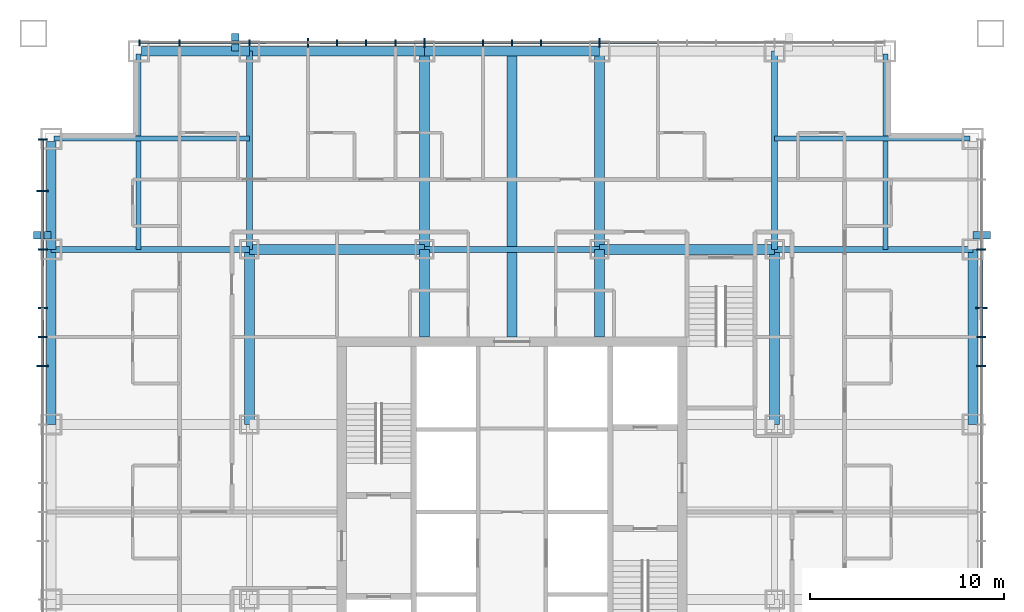
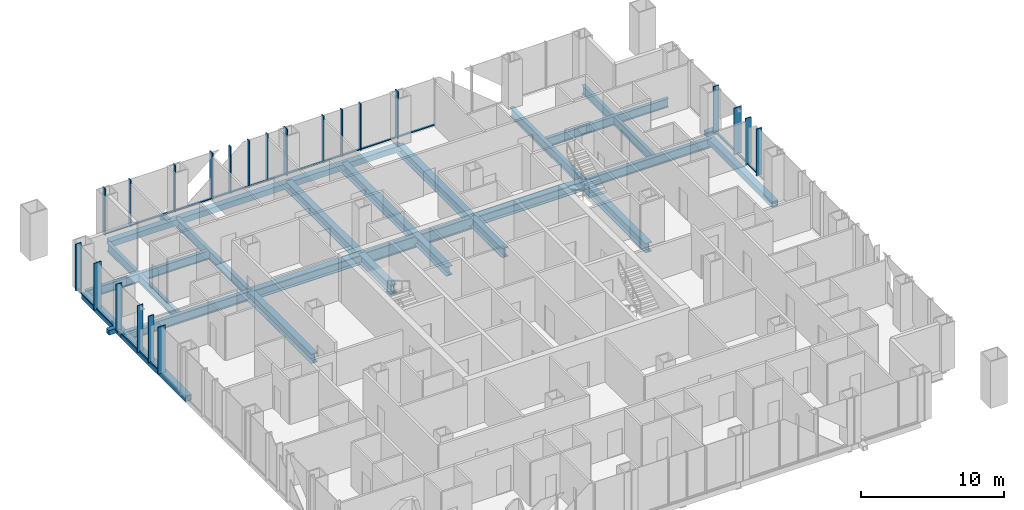
# One storey, part 5 of 16: 45 members, 24 beams, 3 elements without a shape of their own.
"""IFC4 building model written with IfcOpenShell, lengths in metres."""

from ifc_helpers import new_model, si_unit, direction, frame, origin, origin_2d, place, context, subcontext, project, spatial, rectangle, hollow_rectangle, i_section, extrude, material, layer, layer_set, material_profile, profile_set, type_object, element, aggregate, save


model = new_model("IFC4")

# Units and contexts
model_context = context("Model", 3, precision=1e-05, world=origin(), true_north=direction((0.0, 1.0)))
body_context = subcontext(model_context, "Body", "Model", "MODEL_VIEW")
ifc_project = project(units=[si_unit("LENGTHUNIT", "METRE"), si_unit("AREAUNIT", "SQUARE_METRE"), si_unit("VOLUMEUNIT", "CUBIC_METRE"), si_unit("PLANEANGLEUNIT", "RADIAN"), si_unit("MASSUNIT", "GRAM", prefix="KILO")], contexts=[model_context])

# Site, building, storey
site_placement = place(None, origin())
site = spatial("IfcSite", under=ifc_project, at=site_placement, CompositionType="ELEMENT")
building_placement = place(site_placement, origin())
building = spatial("IfcBuilding", under=site, at=building_placement, Name="Malebo Sky Hospital", CompositionType="ELEMENT")
storey_placement = place(building_placement, frame((0.0, 0.0, 108.0)))
storey = spatial("IfcBuildingStorey", under=building, at=storey_placement, Name="L25", CompositionType="ELEMENT", Elevation=108.0)

# Curtain wall, members
ifc_material_1 = material(Name="Anodised aluminium, natural silver", Category="aluminium")
ifc_layer_1 = layer(ifc_material_1, 0.25)
ifc_layer_set_1 = layer_set([ifc_layer_1], Name="WARD CURTAIN WALL NORTH AND SOUTH")
curtain_wall_type_1 = type_object("IfcCurtainWallType", Name="WARD CURTAIN WALL NORTH AND SOUTH", PredefinedType="NOTDEFINED", material=ifc_layer_set_1)
curtain_wall_1_placement = place(storey_placement, origin())
curtain_wall_1 = element("IfcCurtainWall", 1, at=curtain_wall_1_placement, inside=storey, type_object=curtain_wall_type_1, Name="NS curtain wall N", PredefinedType="NOTDEFINED")
ifc_material_profile_1 = material_profile(ifc_material_1, rectangle(XDim=0.14990234375, YDim=0.10009765625, at=origin_2d()), Name="ALUMINIUM TRANSOM 150x100")
ifc_profile_set_1 = profile_set([ifc_material_profile_1], Name="Anodised aluminium, natural silver")
member_type_1 = type_object("IfcMemberType", Name="ALUMINIUM TRANSOM 150x100", PredefinedType="USERDEFINED", material=ifc_profile_set_1)
member_1_placement = place(storey_placement, frame((40.875, 86.135009765625, 0.050048828125), z_axis=(1.0, 0.0, 0.0), x_axis=(0.0, 1.0, 0.0)))
member_1 = element("IfcMember", 2, at=member_1_placement, type_object=member_type_1, Name="Transom 1", ObjectType="TRANSOM", PredefinedType="USERDEFINED", context=body_context, shape_type="SweptSolid", body=[
    extrude(rectangle(XDim=0.14990234375, YDim=0.10009765625, at=origin_2d()), origin(), (0.0, 0.0, 1.0), 1.987548828125),
])
member_2_placement = place(storey_placement, frame((42.9375, 86.135009765625, 0.050048828125), z_axis=(1.0, 0.0, 0.0), x_axis=(0.0, 1.0, 0.0)))
member_2 = element("IfcMember", 3, at=member_2_placement, type_object=member_type_1, Name="Transom 2", ObjectType="TRANSOM", PredefinedType="USERDEFINED", context=body_context, shape_type="SweptSolid", body=[
    extrude(rectangle(XDim=0.14990234375, YDim=0.10009765625, at=origin_2d()), origin(), (0.0, 0.0, 1.0), 3.52490234375),
])
member_3_placement = place(storey_placement, frame((46.53759765625, 86.135009765625, 0.050048828125), z_axis=(1.0, 0.0, 0.0), x_axis=(0.0, 1.0, 0.0)))
member_3 = element("IfcMember", 4, at=member_3_placement, type_object=member_type_1, Name="Transom 3", ObjectType="TRANSOM", PredefinedType="USERDEFINED", context=body_context, shape_type="SweptSolid", body=[
    extrude(rectangle(XDim=0.14990234375, YDim=0.10009765625, at=origin_2d()), origin(), (0.0, 0.0, 1.0), 2.9248046875),
])
member_4_placement = place(storey_placement, frame((49.53759765625, 86.135009765625, 0.050048828125), z_axis=(1.0, 0.0, 0.0), x_axis=(0.0, 1.0, 0.0)))
member_4 = element("IfcMember", 5, at=member_4_placement, type_object=member_type_1, Name="Transom 4", ObjectType="TRANSOM", PredefinedType="USERDEFINED", context=body_context, shape_type="SweptSolid", body=[
    extrude(rectangle(XDim=0.14990234375, YDim=0.10009765625, at=origin_2d()), origin(), (0.0, 0.0, 1.0), 1.4248046875),
])
member_5_placement = place(storey_placement, frame((51.03759765625, 86.135009765625, 0.050048828125), z_axis=(1.0, 0.0, 0.0), x_axis=(0.0, 1.0, 0.0)))
member_5 = element("IfcMember", 6, at=member_5_placement, type_object=member_type_1, Name="Transom 5", ObjectType="TRANSOM", PredefinedType="USERDEFINED", context=body_context, shape_type="SweptSolid", body=[
    extrude(rectangle(XDim=0.14990234375, YDim=0.10009765625, at=origin_2d()), origin(), (0.0, 0.0, 1.0), 1.4248046875),
])
member_6_placement = place(storey_placement, frame((52.53759765625, 86.135009765625, 0.050048828125), z_axis=(1.0, 0.0, 0.0), x_axis=(0.0, 1.0, 0.0)))
member_6 = element("IfcMember", 7, at=member_6_placement, type_object=member_type_1, Name="Transom 6", ObjectType="TRANSOM", PredefinedType="USERDEFINED", context=body_context, shape_type="SweptSolid", body=[
    extrude(rectangle(XDim=0.14990234375, YDim=0.10009765625, at=origin_2d()), origin(), (0.0, 0.0, 1.0), 1.4248046875),
])
member_7_placement = place(storey_placement, frame((54.03759765625, 86.135009765625, 0.050048828125), z_axis=(1.0, 0.0, 0.0), x_axis=(0.0, 1.0, 0.0)))
member_7 = element("IfcMember", 8, at=member_7_placement, type_object=member_type_1, Name="Transom 7", ObjectType="TRANSOM", PredefinedType="USERDEFINED", context=body_context, shape_type="SweptSolid", body=[
    extrude(rectangle(XDim=0.14990234375, YDim=0.10009765625, at=origin_2d()), origin(), (0.0, 0.0, 1.0), 1.4248046875),
])
member_8_placement = place(storey_placement, frame((55.53759765625, 86.135009765625, 0.050048828125), z_axis=(1.0, 0.0, 0.0), x_axis=(0.0, 1.0, 0.0)))
member_8 = element("IfcMember", 9, at=member_8_placement, type_object=member_type_1, Name="Transom 8", ObjectType="TRANSOM", PredefinedType="USERDEFINED", context=body_context, shape_type="SweptSolid", body=[
    extrude(rectangle(XDim=0.14990234375, YDim=0.10009765625, at=origin_2d()), origin(), (0.0, 0.0, 1.0), 2.9248046875),
])
member_9_placement = place(storey_placement, frame((58.53759765625, 86.135009765625, 0.050048828125), z_axis=(1.0, 0.0, 0.0), x_axis=(0.0, 1.0, 0.0)))
member_9 = element("IfcMember", 10, at=member_9_placement, type_object=member_type_1, Name="Transom 9", ObjectType="TRANSOM", PredefinedType="USERDEFINED", context=body_context, shape_type="SweptSolid", body=[
    extrude(rectangle(XDim=0.14990234375, YDim=0.10009765625, at=origin_2d()), origin(), (0.0, 0.0, 1.0), 1.4248046875),
])
member_10_placement = place(storey_placement, frame((60.03759765625, 86.135009765625, 0.050048828125), z_axis=(1.0, 0.0, 0.0), x_axis=(0.0, 1.0, 0.0)))
member_10 = element("IfcMember", 11, at=member_10_placement, type_object=member_type_1, Name="Transom 10", ObjectType="TRANSOM", PredefinedType="USERDEFINED", context=body_context, shape_type="SweptSolid", body=[
    extrude(rectangle(XDim=0.14990234375, YDim=0.10009765625, at=origin_2d()), origin(), (0.0, 0.0, 1.0), 1.4248046875),
])
member_11_placement = place(storey_placement, frame((61.53759765625, 86.135009765625, 0.050048828125), z_axis=(1.0, 0.0, 0.0), x_axis=(0.0, 1.0, 0.0)))
member_11 = element("IfcMember", 12, at=member_11_placement, type_object=member_type_1, Name="Transom 11", ObjectType="TRANSOM", PredefinedType="USERDEFINED", context=body_context, shape_type="SweptSolid", body=[
    extrude(rectangle(XDim=0.14990234375, YDim=0.10009765625, at=origin_2d()), origin(), (0.0, 0.0, 1.0), 2.9248046875),
])
member_12_placement = place(storey_placement, frame((64.53759765625, 86.135009765625, 0.050048828125), z_axis=(1.0, 0.0, 0.0), x_axis=(0.0, 1.0, 0.0)))
member_12 = element("IfcMember", 13, at=member_12_placement, type_object=member_type_1, Name="Transom 12", ObjectType="TRANSOM", PredefinedType="USERDEFINED", context=body_context, shape_type="SweptSolid", body=[
    extrude(rectangle(XDim=0.14990234375, YDim=0.10009765625, at=origin_2d()), origin(), (0.0, 0.0, 1.0), 2.9248046875),
])

ifc_layer_2 = layer(ifc_material_1, 0.25)
ifc_layer_set_2 = layer_set([ifc_layer_2], Name="WARD CURTAIN WALL EAST AND WEST")
curtain_wall_type_2 = type_object("IfcCurtainWallType", Name="WARD CURTAIN WALL EAST AND WEST", PredefinedType="NOTDEFINED", material=ifc_layer_set_2)
curtain_wall_2_placement = place(storey_placement, origin())
curtain_wall_2 = element("IfcCurtainWall", 14, at=curtain_wall_2_placement, inside=storey, type_object=curtain_wall_type_2, Name="EW curtain wall W", PredefinedType="NOTDEFINED")
member_13_placement = place(storey_placement, frame((35.864990234375, 69.53759765625, 0.050048828125), z_axis=(0.0, 1.0, 0.0), x_axis=(-1.0, 0.0, 0.0)))
member_13 = element("IfcMember", 15, at=member_13_placement, type_object=member_type_1, Name="Transom 12", ObjectType="TRANSOM", PredefinedType="USERDEFINED", context=body_context, shape_type="SweptSolid", body=[
    extrude(rectangle(XDim=0.14990234375, YDim=0.10009765625, at=origin_2d()), origin(), (0.0, 0.0, 1.0), 1.4248046875),
])
member_14_placement = place(storey_placement, frame((35.864990234375, 71.03759765625, 0.050048828125), z_axis=(0.0, 1.0, 0.0), x_axis=(-1.0, 0.0, 0.0)))
member_14 = element("IfcMember", 16, at=member_14_placement, type_object=member_type_1, Name="Transom 13", ObjectType="TRANSOM", PredefinedType="USERDEFINED", context=body_context, shape_type="SweptSolid", body=[
    extrude(rectangle(XDim=0.14990234375, YDim=0.10009765625, at=origin_2d()), origin(), (0.0, 0.0, 1.0), 1.4248046875),
])
member_15_placement = place(storey_placement, frame((35.864990234375, 72.53759765625, 0.050048828125), z_axis=(0.0, 1.0, 0.0), x_axis=(-1.0, 0.0, 0.0)))
member_15 = element("IfcMember", 17, at=member_15_placement, type_object=member_type_1, Name="Transom 14", ObjectType="TRANSOM", PredefinedType="USERDEFINED", context=body_context, shape_type="SweptSolid", body=[
    extrude(rectangle(XDim=0.14990234375, YDim=0.10009765625, at=origin_2d()), origin(), (0.0, 0.0, 1.0), 2.9248046875),
])
member_16_placement = place(storey_placement, frame((35.864990234375, 75.53759765625, 0.050048828125), z_axis=(0.0, 1.0, 0.0), x_axis=(-1.0, 0.0, 0.0)))
member_16 = element("IfcMember", 18, at=member_16_placement, type_object=member_type_1, Name="Transom 15", ObjectType="TRANSOM", PredefinedType="USERDEFINED", context=body_context, shape_type="SweptSolid", body=[
    extrude(rectangle(XDim=0.14990234375, YDim=0.10009765625, at=origin_2d()), origin(), (0.0, 0.0, 1.0), 2.9248046875),
])
member_17_placement = place(storey_placement, frame((35.864990234375, 78.53759765625, 0.050048828125), z_axis=(0.0, 1.0, 0.0), x_axis=(-1.0, 0.0, 0.0)))
member_17 = element("IfcMember", 19, at=member_17_placement, type_object=member_type_1, Name="Transom 16", ObjectType="TRANSOM", PredefinedType="USERDEFINED", context=body_context, shape_type="SweptSolid", body=[
    extrude(rectangle(XDim=0.14990234375, YDim=0.10009765625, at=origin_2d()), origin(), (0.0, 0.0, 1.0), 2.58740234375),
])

curtain_wall_3_placement = place(storey_placement, origin())
curtain_wall_3 = element("IfcCurtainWall", 20, at=curtain_wall_3_placement, inside=storey, type_object=curtain_wall_type_2, Name="EW curtain wall E", PredefinedType="NOTDEFINED")
member_18_placement = place(storey_placement, frame((84.135009765625, 75.46240234375, 0.050048828125), z_axis=(0.0, -1.0, 0.0), x_axis=(1.0, 0.0, 0.0)))
member_18 = element("IfcMember", 21, at=member_18_placement, type_object=member_type_1, Name="Transom 3", ObjectType="TRANSOM", PredefinedType="USERDEFINED", context=body_context, shape_type="SweptSolid", body=[
    extrude(rectangle(XDim=0.14990234375, YDim=0.10009765625, at=origin_2d()), origin(), (0.0, 0.0, 1.0), 2.9248046875),
])
member_19_placement = place(storey_placement, frame((84.135009765625, 72.46240234375, 0.050048828125), z_axis=(0.0, -1.0, 0.0), x_axis=(1.0, 0.0, 0.0)))
member_19 = element("IfcMember", 22, at=member_19_placement, type_object=member_type_1, Name="Transom 4", ObjectType="TRANSOM", PredefinedType="USERDEFINED", context=body_context, shape_type="SweptSolid", body=[
    extrude(rectangle(XDim=0.14990234375, YDim=0.10009765625, at=origin_2d()), origin(), (0.0, 0.0, 1.0), 1.4248046875),
])
member_20_placement = place(storey_placement, frame((84.135009765625, 70.96240234375, 0.050048828125), z_axis=(0.0, -1.0, 0.0), x_axis=(1.0, 0.0, 0.0)))
member_20 = element("IfcMember", 23, at=member_20_placement, type_object=member_type_1, Name="Transom 5", ObjectType="TRANSOM", PredefinedType="USERDEFINED", context=body_context, shape_type="SweptSolid", body=[
    extrude(rectangle(XDim=0.14990234375, YDim=0.10009765625, at=origin_2d()), origin(), (0.0, 0.0, 1.0), 1.4248046875),
])

# Members
ifc_material_2 = material(Name="Steel S355", Category="steel")
ifc_material_profile_2 = material_profile(ifc_material_2, hollow_rectangle(XDim=0.39990234375, YDim=0.39990234375, WallThickness=0.02001953125, at=origin_2d()), Name="SHS 400x20")
ifc_profile_set_2 = profile_set([ifc_material_profile_2], Name="Steel S355")
member_type_2 = type_object("IfcMemberType", Name="BRACE STRUT SHS 400x20", PredefinedType="STRUT", material=ifc_profile_set_2)
for number, where, z_axis, x_axis, name in (
    (24, (45.77392578125, 86.60009765625, -0.39990234375), (0.0, -1.0, 0.0), (1.0, 0.0, 0.0), "Brace strut BN2 L25"),
    (25, (84.60009765625, 76.22607421875, -0.39990234375), (-1.0, 0.0, 0.0), (0.0, -1.0, 0.0), "Brace strut BE2 L25"),
    (26, (35.39990234375, 76.22607421875, -0.39990234375), (1.0, 0.0, 0.0), (0.0, 1.0, 0.0), "Brace strut BW1 L25"),
):
    element("IfcMember", number, at=place(storey_placement, frame(where, z_axis=z_axis, x_axis=x_axis)), inside=storey, type_object=member_type_2, Name=name, PredefinedType="STRUT", context=body_context, shape_type="SweptSolid", body=[
        extrude(hollow_rectangle(XDim=0.39990234375, YDim=0.39990234375, WallThickness=0.02001953125, at=origin_2d()), origin(), (0.0, 0.0, 1.0), 0.900146484375),
    ])

# Member
ifc_material_profile_3 = material_profile(ifc_material_1, rectangle(XDim=0.074951171875, YDim=0.300048828125, at=origin_2d()), Name="CW1 ALUMINIUM FIN MULLION 75x300")
ifc_profile_set_3 = profile_set([ifc_material_profile_3], Name="Anodised aluminium, natural silver")
member_type_3 = type_object("IfcMemberType", Name="CW1 ALUMINIUM FIN MULLION 75x300", PredefinedType="MULLION", material=ifc_profile_set_3)
member_21_placement = place(storey_placement, frame((40.83740234375, 86.135009765625, 0.0), z_axis=(0.0, 0.0, 1.0), x_axis=(1.0, 0.0, 0.0)))
member_21 = element("IfcMember", 27, at=member_21_placement, type_object=member_type_3, Name="Fin mullion 1", PredefinedType="MULLION", context=body_context, shape_type="SweptSolid", body=[
    extrude(rectangle(XDim=0.074951171875, YDim=0.300048828125, at=origin_2d()), origin(), (0.0, 0.0, 1.0), 4.0),
])

member_22_placement = place(storey_placement, frame((42.89990234375, 86.135009765625, 0.0), z_axis=(0.0, 0.0, 1.0), x_axis=(1.0, 0.0, 0.0)))
member_22 = element("IfcMember", 28, at=member_22_placement, type_object=member_type_3, Name="Fin mullion 2", PredefinedType="MULLION", context=body_context, shape_type="SweptSolid", body=[
    extrude(rectangle(XDim=0.074951171875, YDim=0.300048828125, at=origin_2d()), origin(), (0.0, 0.0, 1.0), 4.0),
])

member_23_placement = place(storey_placement, frame((46.5, 86.135009765625, 0.0), z_axis=(0.0, 0.0, 1.0), x_axis=(1.0, 0.0, 0.0)))
member_23 = element("IfcMember", 29, at=member_23_placement, type_object=member_type_3, Name="Fin mullion 3", PredefinedType="MULLION", context=body_context, shape_type="SweptSolid", body=[
    extrude(rectangle(XDim=0.074951171875, YDim=0.300048828125, at=origin_2d()), origin(), (0.0, 0.0, 1.0), 4.0),
])

member_24_placement = place(storey_placement, frame((51.0, 86.135009765625, 0.0), z_axis=(0.0, 0.0, 1.0), x_axis=(1.0, 0.0, 0.0)))
member_24 = element("IfcMember", 30, at=member_24_placement, type_object=member_type_3, Name="Fin mullion 5", PredefinedType="MULLION", context=body_context, shape_type="SweptSolid", body=[
    extrude(rectangle(XDim=0.074951171875, YDim=0.300048828125, at=origin_2d()), origin(), (0.0, 0.0, 1.0), 4.0),
])

member_25_placement = place(storey_placement, frame((52.5, 86.135009765625, 0.0), z_axis=(0.0, 0.0, 1.0), x_axis=(1.0, 0.0, 0.0)))
member_25 = element("IfcMember", 31, at=member_25_placement, type_object=member_type_3, Name="Fin mullion 6", PredefinedType="MULLION", context=body_context, shape_type="SweptSolid", body=[
    extrude(rectangle(XDim=0.074951171875, YDim=0.300048828125, at=origin_2d()), origin(), (0.0, 0.0, 1.0), 4.0),
])

member_26_placement = place(storey_placement, frame((54.0, 86.135009765625, 0.0), z_axis=(0.0, 0.0, 1.0), x_axis=(1.0, 0.0, 0.0)))
member_26 = element("IfcMember", 32, at=member_26_placement, type_object=member_type_3, Name="Fin mullion 7", PredefinedType="MULLION", context=body_context, shape_type="SweptSolid", body=[
    extrude(rectangle(XDim=0.074951171875, YDim=0.300048828125, at=origin_2d()), origin(), (0.0, 0.0, 1.0), 4.0),
])

member_27_placement = place(storey_placement, frame((58.5, 86.135009765625, 0.0), z_axis=(0.0, 0.0, 1.0), x_axis=(1.0, 0.0, 0.0)))
member_27 = element("IfcMember", 33, at=member_27_placement, type_object=member_type_3, Name="Fin mullion 9", PredefinedType="MULLION", context=body_context, shape_type="SweptSolid", body=[
    extrude(rectangle(XDim=0.074951171875, YDim=0.300048828125, at=origin_2d()), origin(), (0.0, 0.0, 1.0), 4.0),
])

member_28_placement = place(storey_placement, frame((60.0, 86.135009765625, 0.0), z_axis=(0.0, 0.0, 1.0), x_axis=(1.0, 0.0, 0.0)))
member_28 = element("IfcMember", 34, at=member_28_placement, type_object=member_type_3, Name="Fin mullion 10", PredefinedType="MULLION", context=body_context, shape_type="SweptSolid", body=[
    extrude(rectangle(XDim=0.074951171875, YDim=0.300048828125, at=origin_2d()), origin(), (0.0, 0.0, 1.0), 4.0),
])

member_29_placement = place(storey_placement, frame((61.5, 86.135009765625, 0.0), z_axis=(0.0, 0.0, 1.0), x_axis=(1.0, 0.0, 0.0)))
member_29 = element("IfcMember", 35, at=member_29_placement, type_object=member_type_3, Name="Fin mullion 11", PredefinedType="MULLION", context=body_context, shape_type="SweptSolid", body=[
    extrude(rectangle(XDim=0.074951171875, YDim=0.300048828125, at=origin_2d()), origin(), (0.0, 0.0, 1.0), 4.0),
])

ifc_material_profile_4 = material_profile(ifc_material_1, rectangle(XDim=0.074951171875, YDim=0.449951171875, at=origin_2d()), Name="CW1 ALUMINIUM FIN MULLION 75x450")
ifc_profile_set_4 = profile_set([ifc_material_profile_4], Name="Anodised aluminium, natural silver")
member_type_4 = type_object("IfcMemberType", Name="CW1 ALUMINIUM FIN MULLION 75x450", PredefinedType="MULLION", material=ifc_profile_set_4)
member_30_placement = place(storey_placement, frame((49.5, 86.135009765625, 0.0), z_axis=(0.0, 0.0, 1.0), x_axis=(1.0, 0.0, 0.0)))
member_30 = element("IfcMember", 36, at=member_30_placement, type_object=member_type_4, Name="Fin mullion 4", PredefinedType="MULLION", context=body_context, shape_type="SweptSolid", body=[
    extrude(rectangle(XDim=0.074951171875, YDim=0.449951171875, at=origin_2d()), origin(), (0.0, 0.0, 1.0), 4.0),
])

member_31_placement = place(storey_placement, frame((55.5, 86.135009765625, 0.0), z_axis=(0.0, 0.0, 1.0), x_axis=(1.0, 0.0, 0.0)))
member_31 = element("IfcMember", 37, at=member_31_placement, type_object=member_type_4, Name="Fin mullion 8", PredefinedType="MULLION", context=body_context, shape_type="SweptSolid", body=[
    extrude(rectangle(XDim=0.074951171875, YDim=0.449951171875, at=origin_2d()), origin(), (0.0, 0.0, 1.0), 4.0),
])

member_32_placement = place(storey_placement, frame((64.5, 86.135009765625, 0.0), z_axis=(0.0, 0.0, 1.0), x_axis=(1.0, 0.0, 0.0)))
member_32 = element("IfcMember", 38, at=member_32_placement, type_object=member_type_4, Name="Fin mullion 12", PredefinedType="MULLION", context=body_context, shape_type="SweptSolid", body=[
    extrude(rectangle(XDim=0.074951171875, YDim=0.449951171875, at=origin_2d()), origin(), (0.0, 0.0, 1.0), 4.0),
])

aggregate(curtain_wall_1, [member_21, member_22, member_23, member_30, member_24, member_25, member_26, member_31, member_27, member_28, member_29, member_32, member_1, member_2, member_3, member_4, member_5, member_6, member_7, member_8, member_9, member_10, member_11, member_12])

ifc_material_profile_5 = material_profile(ifc_material_1, rectangle(XDim=0.074951171875, YDim=0.449951171875, at=origin_2d()), Name="CW2 ALUMINIUM FIN MULLION 75x450")
ifc_profile_set_5 = profile_set([ifc_material_profile_5], Name="Anodised aluminium, natural silver")
member_type_5 = type_object("IfcMemberType", Name="CW2 ALUMINIUM FIN MULLION 75x450", PredefinedType="MULLION", material=ifc_profile_set_5)
member_33_placement = place(storey_placement, frame((35.864990234375, 71.0, 0.0), z_axis=(0.0, 0.0, 1.0), x_axis=(0.0, 1.0, 0.0)))
member_33 = element("IfcMember", 39, at=member_33_placement, type_object=member_type_5, Name="Fin mullion 13", PredefinedType="MULLION", context=body_context, shape_type="SweptSolid", body=[
    extrude(rectangle(XDim=0.074951171875, YDim=0.449951171875, at=origin_2d()), origin(), (0.0, 0.0, 1.0), 4.0),
])

member_34_placement = place(storey_placement, frame((35.864990234375, 72.5, 0.0), z_axis=(0.0, 0.0, 1.0), x_axis=(0.0, 1.0, 0.0)))
member_34 = element("IfcMember", 40, at=member_34_placement, type_object=member_type_5, Name="Fin mullion 14", PredefinedType="MULLION", context=body_context, shape_type="SweptSolid", body=[
    extrude(rectangle(XDim=0.074951171875, YDim=0.449951171875, at=origin_2d()), origin(), (0.0, 0.0, 1.0), 4.0),
])

member_35_placement = place(storey_placement, frame((35.864990234375, 75.5, 0.0), z_axis=(0.0, 0.0, 1.0), x_axis=(0.0, 1.0, 0.0)))
member_35 = element("IfcMember", 41, at=member_35_placement, type_object=member_type_5, Name="Fin mullion 15", PredefinedType="MULLION", context=body_context, shape_type="SweptSolid", body=[
    extrude(rectangle(XDim=0.074951171875, YDim=0.449951171875, at=origin_2d()), origin(), (0.0, 0.0, 1.0), 4.0),
])

member_36_placement = place(storey_placement, frame((35.864990234375, 81.16259765625, 0.0), z_axis=(0.0, 0.0, 1.0), x_axis=(0.0, 1.0, 0.0)))
member_36 = element("IfcMember", 42, at=member_36_placement, type_object=member_type_5, Name="Fin mullion 17", PredefinedType="MULLION", context=body_context, shape_type="SweptSolid", body=[
    extrude(rectangle(XDim=0.074951171875, YDim=0.449951171875, at=origin_2d()), origin(), (0.0, 0.0, 1.0), 4.0),
])

member_37_placement = place(storey_placement, frame((84.135009765625, 75.5, 0.0), z_axis=(0.0, 0.0, 1.0), x_axis=(0.0, -1.0, 0.0)))
member_37 = element("IfcMember", 43, at=member_37_placement, type_object=member_type_5, Name="Fin mullion 3", PredefinedType="MULLION", context=body_context, shape_type="SweptSolid", body=[
    extrude(rectangle(XDim=0.074951171875, YDim=0.449951171875, at=origin_2d()), origin(), (0.0, 0.0, 1.0), 4.0),
])

member_38_placement = place(storey_placement, frame((84.135009765625, 71.0, 0.0), z_axis=(0.0, 0.0, 1.0), x_axis=(0.0, -1.0, 0.0)))
member_38 = element("IfcMember", 44, at=member_38_placement, type_object=member_type_5, Name="Fin mullion 5", PredefinedType="MULLION", context=body_context, shape_type="SweptSolid", body=[
    extrude(rectangle(XDim=0.074951171875, YDim=0.449951171875, at=origin_2d()), origin(), (0.0, 0.0, 1.0), 4.0),
])

member_39_placement = place(storey_placement, frame((84.135009765625, 69.5, 0.0), z_axis=(0.0, 0.0, 1.0), x_axis=(0.0, -1.0, 0.0)))
member_39 = element("IfcMember", 45, at=member_39_placement, type_object=member_type_5, Name="Fin mullion 6", PredefinedType="MULLION", context=body_context, shape_type="SweptSolid", body=[
    extrude(rectangle(XDim=0.074951171875, YDim=0.449951171875, at=origin_2d()), origin(), (0.0, 0.0, 1.0), 4.0),
])

ifc_material_profile_6 = material_profile(ifc_material_1, rectangle(XDim=0.074951171875, YDim=0.60009765625, at=origin_2d()), Name="CW2 ALUMINIUM FIN MULLION 75x600")
ifc_profile_set_6 = profile_set([ifc_material_profile_6], Name="Anodised aluminium, natural silver")
member_type_6 = type_object("IfcMemberType", Name="CW2 ALUMINIUM FIN MULLION 75x600", PredefinedType="MULLION", material=ifc_profile_set_6)
member_40_placement = place(storey_placement, frame((35.864990234375, 69.5, 0.0), z_axis=(0.0, 0.0, 1.0), x_axis=(0.0, 1.0, 0.0)))
member_40 = element("IfcMember", 46, at=member_40_placement, type_object=member_type_6, Name="Fin mullion 12", PredefinedType="MULLION", context=body_context, shape_type="SweptSolid", body=[
    extrude(rectangle(XDim=0.074951171875, YDim=0.60009765625, at=origin_2d()), origin(), (0.0, 0.0, 1.0), 4.0),
])

member_41_placement = place(storey_placement, frame((35.864990234375, 78.5, 0.0), z_axis=(0.0, 0.0, 1.0), x_axis=(0.0, 1.0, 0.0)))
member_41 = element("IfcMember", 47, at=member_41_placement, type_object=member_type_6, Name="Fin mullion 16", PredefinedType="MULLION", context=body_context, shape_type="SweptSolid", body=[
    extrude(rectangle(XDim=0.074951171875, YDim=0.60009765625, at=origin_2d()), origin(), (0.0, 0.0, 1.0), 4.0),
])

aggregate(curtain_wall_2, [member_40, member_33, member_34, member_35, member_41, member_36, member_13, member_14, member_15, member_16, member_17])

member_42_placement = place(storey_placement, frame((84.135009765625, 72.5, 0.0), z_axis=(0.0, 0.0, 1.0), x_axis=(0.0, -1.0, 0.0)))
member_42 = element("IfcMember", 48, at=member_42_placement, type_object=member_type_6, Name="Fin mullion 4", PredefinedType="MULLION", context=body_context, shape_type="SweptSolid", body=[
    extrude(rectangle(XDim=0.074951171875, YDim=0.60009765625, at=origin_2d()), origin(), (0.0, 0.0, 1.0), 4.0),
])

aggregate(curtain_wall_3, [member_37, member_42, member_38, member_39, member_18, member_19, member_20])

# Beams
ifc_material_3 = material(Name="Steel S460", Category="steel")
ifc_material_profile_7 = material_profile(ifc_material_3, hollow_rectangle(XDim=0.5, YDim=0.5, WallThickness=0.030029296875, at=origin_2d()), Name="BOX 500x500x30")
ifc_profile_set_7 = profile_set([ifc_material_profile_7], Name="Steel S460")
beam_type_1 = type_object("IfcBeamType", Name="EDGE BEAM BOX 500x500x30", PredefinedType="BEAM", material=ifc_profile_set_7)
beam_1_placement = place(storey_placement, frame((36.300048828125, 66.5, -0.5), z_axis=(0.0, 1.0, 0.0), x_axis=(-1.0, 0.0, 0.0)))
element("IfcBeam", 49, at=beam_1_placement, inside=storey, type_object=beam_type_1, Name="Beam 003 L25", PredefinedType="BEAM", context=body_context, shape_type="SweptSolid", body=[
    extrude(hollow_rectangle(XDim=0.5, YDim=0.5, WallThickness=0.030029296875, at=origin_2d()), origin(), (0.0, 0.0, 1.0), 9.0),
])
beam_2_placement = place(storey_placement, frame((36.300048828125, 75.5, -0.5), z_axis=(0.0, 1.0, 0.0), x_axis=(-1.0, 0.0, 0.0)))
element("IfcBeam", 50, at=beam_2_placement, inside=storey, type_object=beam_type_1, Name="Beam 004 L25", PredefinedType="BEAM", context=body_context, shape_type="SweptSolid", body=[
    extrude(hollow_rectangle(XDim=0.5, YDim=0.5, WallThickness=0.030029296875, at=origin_2d()), origin(), (0.0, 0.0, 1.0), 5.550048828125),
])
beam_3_placement = place(storey_placement, frame((83.699951171875, 66.5, -0.5), z_axis=(0.0, 1.0, 0.0), x_axis=(-1.0, 0.0, 0.0)))
element("IfcBeam", 51, at=beam_3_placement, inside=storey, type_object=beam_type_1, Name="Beam 032 L25", PredefinedType="BEAM", context=body_context, shape_type="SweptSolid", body=[
    extrude(hollow_rectangle(XDim=0.5, YDim=0.5, WallThickness=0.030029296875, at=origin_2d()), origin(), (0.0, 0.0, 1.0), 9.0),
])
beam_4_placement = place(storey_placement, frame((40.949951171875, 85.699951171875, -0.5), z_axis=(1.0, 0.0, 0.0), x_axis=(0.0, 1.0, 0.0)))
element("IfcBeam", 52, at=beam_4_placement, inside=storey, type_object=beam_type_1, Name="Beam 063 L25", PredefinedType="BEAM", context=body_context, shape_type="SweptSolid", body=[
    extrude(hollow_rectangle(XDim=0.5, YDim=0.5, WallThickness=0.030029296875, at=origin_2d()), origin(), (0.0, 0.0, 1.0), 5.550048828125),
])
for number, where, z_axis, x_axis, name in (
    (53, (46.5, 85.699951171875, -0.5), (1.0, 0.0, 0.0), (0.0, 1.0, 0.0), "Beam 064 L25"),
    (54, (55.5, 85.699951171875, -0.5), (1.0, 0.0, 0.0), (0.0, 1.0, 0.0), "Beam 065 L25"),
):
    element("IfcBeam", number, at=place(storey_placement, frame(where, z_axis=z_axis, x_axis=x_axis)), inside=storey, type_object=beam_type_1, Name=name, PredefinedType="BEAM", context=body_context, shape_type="SweptSolid", body=[
        extrude(hollow_rectangle(XDim=0.5, YDim=0.5, WallThickness=0.030029296875, at=origin_2d()), origin(), (0.0, 0.0, 1.0), 9.0),
    ])
ifc_material_profile_8 = material_profile(ifc_material_2, i_section(OverallWidth=0.262939453125, OverallDepth=0.7529296875, WebThickness=0.011474609375, FlangeThickness=0.01708984375, FilletRadius=0.01708984375, at=origin_2d()), Name="IPE 750x137")
ifc_profile_set_8 = profile_set([ifc_material_profile_8], Name="Steel S355")
beam_type_2 = type_object("IfcBeamType", Name="FLOOR BEAM IPE 750x137", PredefinedType="BEAM", material=ifc_profile_set_8)
for number, where, z_axis, x_axis, name in (
    (55, (40.800048828125, 75.5, -0.62646484375), (0.0, 1.0, 0.0), (-1.0, 0.0, 0.0), "Beam 006 L25"),
    (56, (79.199951171875, 75.5, -0.62646484375), (0.0, 1.0, 0.0), (-1.0, 0.0, 0.0), "Beam 028 L25"),
    (57, (36.449951171875, 81.199951171875, -0.62646484375), (1.0, 0.0, 0.0), (0.0, 1.0, 0.0), "Beam 061 L25"),
    (58, (73.5, 81.199951171875, -0.62646484375), (1.0, 0.0, 0.0), (0.0, 1.0, 0.0), "Beam 062 L25"),
):
    element("IfcBeam", number, at=place(storey_placement, frame(where, z_axis=z_axis, x_axis=x_axis)), inside=storey, type_object=beam_type_2, Name=name, PredefinedType="BEAM", context=body_context, shape_type="SweptSolid", body=[
        extrude(i_section(OverallWidth=0.262939453125, OverallDepth=0.7529296875, WebThickness=0.011474609375, FlangeThickness=0.01708984375, FilletRadius=0.01708984375, at=origin_2d()), origin(), (0.0, 0.0, 1.0), 10.050048828125),
    ])
ifc_material_profile_9 = material_profile(ifc_material_2, i_section(OverallWidth=0.5, OverallDepth=0.800048828125, WebThickness=0.030029296875, FlangeThickness=0.050048828125, at=origin_2d()), Name="PG 800x500x30x50")
ifc_profile_set_9 = profile_set([ifc_material_profile_9], Name="Steel S355")
beam_type_3 = type_object("IfcBeamType", Name="FLOOR BEAM PG 800x500x30x50", PredefinedType="BEAM", material=ifc_profile_set_9)
beam_5_placement = place(storey_placement, frame((46.5, 66.5, -0.64990234375), z_axis=(0.0, 1.0, 0.0), x_axis=(-1.0, 0.0, 0.0)))
element("IfcBeam", 59, at=beam_5_placement, inside=storey, type_object=beam_type_3, Name="Beam 010 L25", PredefinedType="BEAM", context=body_context, shape_type="SweptSolid", body=[
    extrude(i_section(OverallWidth=0.5, OverallDepth=0.800048828125, WebThickness=0.030029296875, FlangeThickness=0.050048828125, at=origin_2d()), origin(), (0.0, 0.0, 1.0), 9.0),
])
beam_6_placement = place(storey_placement, frame((55.5, 71.0, -0.64990234375), z_axis=(0.0, 1.0, 0.0), x_axis=(-1.0, 0.0, 0.0)))
element("IfcBeam", 60, at=beam_6_placement, inside=storey, type_object=beam_type_3, Name="Beam 014 L25", PredefinedType="BEAM", context=body_context, shape_type="SweptSolid", body=[
    extrude(i_section(OverallWidth=0.5, OverallDepth=0.800048828125, WebThickness=0.030029296875, FlangeThickness=0.050048828125, at=origin_2d()), origin(), (0.0, 0.0, 1.0), 4.5),
])
beam_7_placement = place(storey_placement, frame((55.5, 75.5, -0.64990234375), z_axis=(0.0, 1.0, 0.0), x_axis=(-1.0, 0.0, 0.0)))
element("IfcBeam", 61, at=beam_7_placement, inside=storey, type_object=beam_type_3, Name="Beam 015 L25", PredefinedType="BEAM", context=body_context, shape_type="SweptSolid", body=[
    extrude(i_section(OverallWidth=0.5, OverallDepth=0.800048828125, WebThickness=0.030029296875, FlangeThickness=0.050048828125, at=origin_2d()), origin(), (0.0, 0.0, 1.0), 10.199951171875),
])
beam_8_placement = place(storey_placement, frame((60.0, 71.0, -0.64990234375), z_axis=(0.0, 1.0, 0.0), x_axis=(-1.0, 0.0, 0.0)))
element("IfcBeam", 62, at=beam_8_placement, inside=storey, type_object=beam_type_3, Name="Beam 017 L25", PredefinedType="BEAM", context=body_context, shape_type="SweptSolid", body=[
    extrude(i_section(OverallWidth=0.5, OverallDepth=0.800048828125, WebThickness=0.030029296875, FlangeThickness=0.050048828125, at=origin_2d()), origin(), (0.0, 0.0, 1.0), 14.699951171875),
])
beam_9_placement = place(storey_placement, frame((64.5, 71.0, -0.64990234375), z_axis=(0.0, 1.0, 0.0), x_axis=(-1.0, 0.0, 0.0)))
element("IfcBeam", 63, at=beam_9_placement, inside=storey, type_object=beam_type_3, Name="Beam 020 L25", PredefinedType="BEAM", context=body_context, shape_type="SweptSolid", body=[
    extrude(i_section(OverallWidth=0.5, OverallDepth=0.800048828125, WebThickness=0.030029296875, FlangeThickness=0.050048828125, at=origin_2d()), origin(), (0.0, 0.0, 1.0), 4.5),
])
beam_10_placement = place(storey_placement, frame((64.5, 75.5, -0.64990234375), z_axis=(0.0, 1.0, 0.0), x_axis=(-1.0, 0.0, 0.0)))
element("IfcBeam", 64, at=beam_10_placement, inside=storey, type_object=beam_type_3, Name="Beam 021 L25", PredefinedType="BEAM", context=body_context, shape_type="SweptSolid", body=[
    extrude(i_section(OverallWidth=0.5, OverallDepth=0.800048828125, WebThickness=0.030029296875, FlangeThickness=0.050048828125, at=origin_2d()), origin(), (0.0, 0.0, 1.0), 10.199951171875),
])
for number, where, z_axis, x_axis, name in (
    (65, (73.5, 66.5, -0.64990234375), (0.0, 1.0, 0.0), (-1.0, 0.0, 0.0), "Beam 025 L25"),
    (66, (46.5, 75.5, -0.64990234375), (1.0, 0.0, 0.0), (0.0, 1.0, 0.0), "Beam 057 L25"),
    (67, (64.5, 75.5, -0.64990234375), (1.0, 0.0, 0.0), (0.0, 1.0, 0.0), "Beam 059 L25"),
):
    element("IfcBeam", number, at=place(storey_placement, frame(where, z_axis=z_axis, x_axis=x_axis)), inside=storey, type_object=beam_type_3, Name=name, PredefinedType="BEAM", context=body_context, shape_type="SweptSolid", body=[
        extrude(i_section(OverallWidth=0.5, OverallDepth=0.800048828125, WebThickness=0.030029296875, FlangeThickness=0.050048828125, at=origin_2d()), origin(), (0.0, 0.0, 1.0), 9.0),
    ])
ifc_material_profile_10 = material_profile(ifc_material_2, i_section(OverallWidth=0.300048828125, OverallDepth=0.800048828125, WebThickness=0.017578125, FlangeThickness=0.032958984375, FilletRadius=0.030029296875, at=origin_2d()), Name="HEB 800")
ifc_profile_set_10 = profile_set([ifc_material_profile_10], Name="Steel S355")
beam_type_4 = type_object("IfcBeamType", Name="FLOOR GIRDER HEB 800", PredefinedType="BEAM", material=ifc_profile_set_10)
for number, where, z_axis, x_axis, name in (
    (68, (46.5, 75.5, -0.64990234375), (0.0, 1.0, 0.0), (-1.0, 0.0, 0.0), "Beam 011 L25"),
    (69, (73.5, 75.5, -0.64990234375), (0.0, 1.0, 0.0), (-1.0, 0.0, 0.0), "Beam 026 L25"),
    (70, (36.300048828125, 75.5, -0.64990234375), (1.0, 0.0, 0.0), (0.0, 1.0, 0.0), "Beam 056 L25"),
    (71, (73.5, 75.5, -0.64990234375), (1.0, 0.0, 0.0), (0.0, 1.0, 0.0), "Beam 060 L25"),
):
    element("IfcBeam", number, at=place(storey_placement, frame(where, z_axis=z_axis, x_axis=x_axis)), inside=storey, type_object=beam_type_4, Name=name, PredefinedType="BEAM", context=body_context, shape_type="SweptSolid", body=[
        extrude(i_section(OverallWidth=0.300048828125, OverallDepth=0.800048828125, WebThickness=0.017578125, FlangeThickness=0.032958984375, FilletRadius=0.030029296875, at=origin_2d()), origin(), (0.0, 0.0, 1.0), 10.199951171875),
    ])
ifc_material_profile_11 = material_profile(ifc_material_2, i_section(OverallWidth=0.300048828125, OverallDepth=1.0, WebThickness=0.01904296875, FlangeThickness=0.035888671875, FilletRadius=0.030029296875, at=origin_2d()), Name="HEB 1000")
ifc_profile_set_11 = profile_set([ifc_material_profile_11], Name="Steel S355")
beam_type_5 = type_object("IfcBeamType", Name="RING GIRDER HEB 1000", PredefinedType="BEAM", material=ifc_profile_set_11)
beam_11_placement = place(storey_placement, frame((55.5, 75.5, -0.75), z_axis=(1.0, 0.0, 0.0), x_axis=(0.0, 1.0, 0.0)))
element("IfcBeam", 72, at=beam_11_placement, inside=storey, type_object=beam_type_5, Name="Beam 058 L25", PredefinedType="BEAM", context=body_context, shape_type="SweptSolid", body=[
    extrude(i_section(OverallWidth=0.300048828125, OverallDepth=1.0, WebThickness=0.01904296875, FlangeThickness=0.035888671875, FilletRadius=0.030029296875, at=origin_2d()), origin(), (0.0, 0.0, 1.0), 9.0),
])

save(model, "model.ifc")
